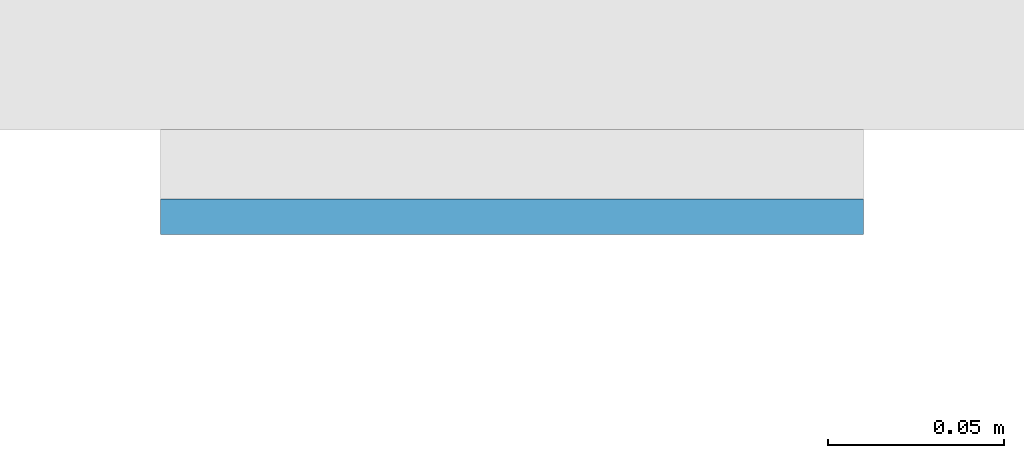
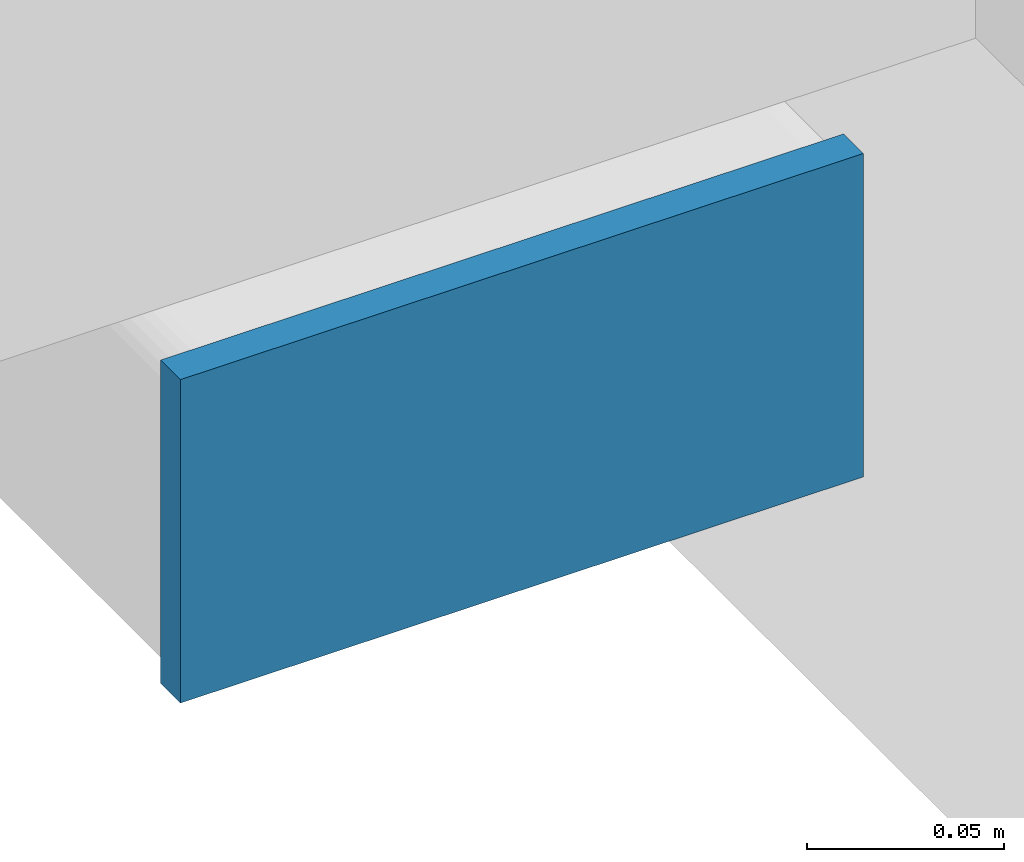
# One storey, part 8 of 20: 1 plate.
"""IFC4 building model written with IfcOpenShell, lengths in metres."""

from ifc_helpers import new_model, si_unit, direction, frame, origin, origin_2d, place, context, subcontext, project, spatial, rectangle, extrude, material, layer, layer_set, type_object, element, save


model = new_model("IFC4")

# Units and contexts
model_context = context("Model", 3, precision=1e-05, world=origin(), true_north=direction((0.0, 1.0)))
body_context = subcontext(model_context, "Body", "Model", "MODEL_VIEW")
ifc_project = project(units=[si_unit("LENGTHUNIT", "METRE"), si_unit("AREAUNIT", "SQUARE_METRE"), si_unit("VOLUMEUNIT", "CUBIC_METRE"), si_unit("PLANEANGLEUNIT", "RADIAN"), si_unit("MASSUNIT", "GRAM", prefix="KILO")], contexts=[model_context])

# Site, building, storey
site_placement = place(None, origin())
site = spatial("IfcSite", under=ifc_project, at=site_placement, CompositionType="ELEMENT")
building_placement = place(site_placement, origin())
building = spatial("IfcBuilding", under=site, at=building_placement, Name="Cleftline Residences", CompositionType="ELEMENT")
storey_placement = place(building_placement, frame((0.0, 0.0, 51.199951171875)))
storey = spatial("IfcBuildingStorey", under=building, at=storey_placement, Name="L12", CompositionType="ELEMENT", Elevation=51.199951171875)

# Plate
ifc_material = material(Name="Steel S355, hot-dip galvanised", Category="steel")
ifc_layer = layer(ifc_material, 0.010009765625)
ifc_layer_set = layer_set([ifc_layer], Name="BAGUETTE CARRIER END PLATE 200X100X10")
plate_type = type_object("IfcPlateType", Name="BAGUETTE CARRIER END PLATE 200X100X10", PredefinedType="USERDEFINED", material=ifc_layer_set)
plate_placement = place(storey_placement, frame((-0.85009765625, 3.695068359375, -0.10009765625), z_axis=(0.0, 0.0, 1.0), x_axis=(-1.0, 0.0, 0.0)))
element("IfcPlate", 1, at=plate_placement, inside=storey, type_object=plate_type, Name="Baguette carrier end plate", ObjectType="BAGUETTE CARRIER END PLATE", PredefinedType="USERDEFINED", context=body_context, shape_type="SweptSolid", body=[
    extrude(rectangle(XDim=0.199951171875, YDim=0.010009765625, at=origin_2d()), origin(), (0.0, 0.0, 1.0), 0.10009765625),
])

save(model, "model.ifc")
